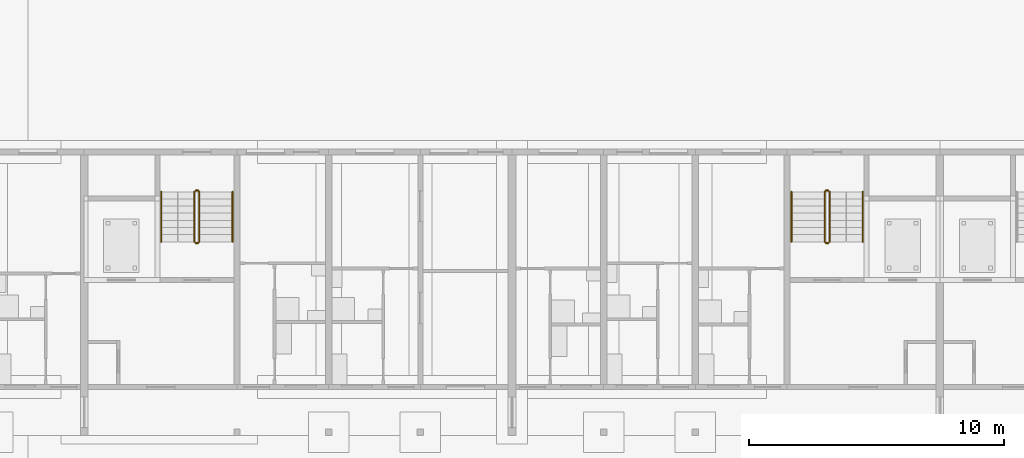
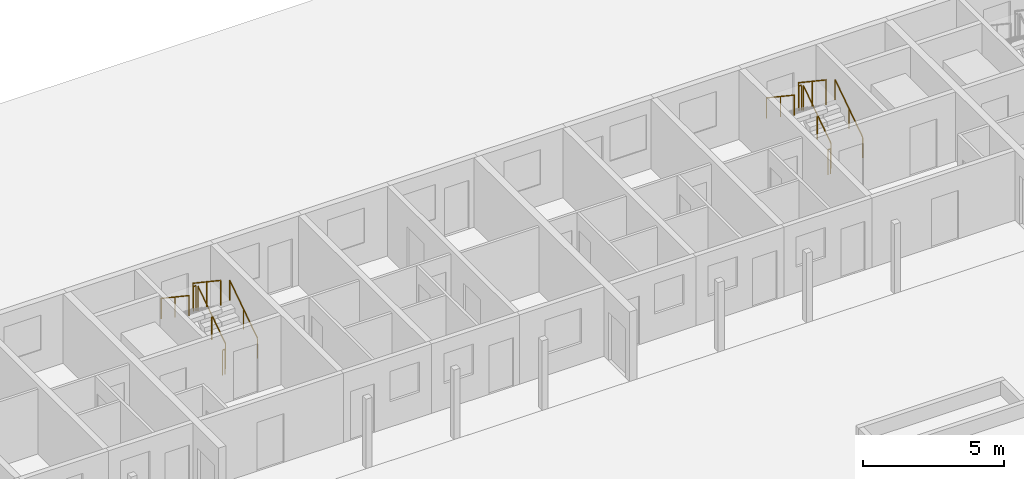
# One storey, part 106 of 112: 12 railings.
"""IFC4 building model written with IfcOpenShell, lengths in metres."""

from ifc_helpers import new_model, si_unit, direction, frame, origin, origin_2d, place, context, subcontext, project, spatial, circle, extrude, material, type_object, element, save


model = new_model("IFC4")

# Units and contexts
model_context = context("Model", 3, precision=1e-05, world=origin(), true_north=direction((0.0, 1.0)))
body_context = subcontext(model_context, "Body", "Model", "MODEL_VIEW")
ifc_project = project(units=[si_unit("LENGTHUNIT", "METRE"), si_unit("AREAUNIT", "SQUARE_METRE"), si_unit("VOLUMEUNIT", "CUBIC_METRE"), si_unit("PLANEANGLEUNIT", "RADIAN"), si_unit("MASSUNIT", "GRAM", prefix="KILO")], contexts=[model_context])

# Site, building, storey
site_placement = place(None, origin())
site = spatial("IfcSite", under=ifc_project, at=site_placement, CompositionType="ELEMENT")
building_placement = place(site_placement, origin())
building = spatial("IfcBuilding", under=site, at=building_placement, Name="Ridgestep Commons", CompositionType="ELEMENT")
storey_placement = place(building_placement, origin())
storey = spatial("IfcBuildingStorey", under=building, at=storey_placement, Name="L00", CompositionType="ELEMENT", Elevation=0.0)

# Railings
ifc_material_1 = material(Name="Structural steel S355JR", Category="steel")
railing_type_1 = type_object("IfcRailingType", Name="Stair guard 1100", PredefinedType="GUARDRAIL", material=ifc_material_1)
railing_1_placement = place(storey_placement, frame((201.72509765625, 73.60009765625, 0.1875)))
element("IfcRailing", 1, at=railing_1_placement, inside=storey, type_object=railing_type_1, Name="L00 C4C stair guard 1", PredefinedType="GUARDRAIL", context=body_context, shape_type="SweptSolid", body=[
    extrude(circle(Radius=0.02392578125, at=origin_2d()), frame((0.0, 0.0, 1.076171875), z_axis=(0.0, 0.830902050051, 0.556418712142), x_axis=(-1.0, 0.0, 0.0)), (0.0, 0.0, 1.0), 2.35888671875),
    extrude(circle(Radius=0.02099609375, at=origin_2d()), origin(), (0.0, 0.0, 1.0), 1.052001953125),
    extrude(circle(Radius=0.02099609375, at=origin_2d()), frame((0.0, 0.97998046875, 0.65625)), (0.0, 0.0, 1.0), 1.052001953125),
    extrude(circle(Radius=0.02099609375, at=origin_2d()), frame((0.0, 1.9599609375, 1.3125)), (0.0, 0.0, 1.0), 1.052001953125),
])
railing_2_placement = place(storey_placement, frame((201.675048828125, 75.610107421875, 1.5)))
element("IfcRailing", 2, at=railing_2_placement, inside=storey, type_object=railing_type_1, Name="L00 C4C stair guard 2", PredefinedType="GUARDRAIL", context=body_context, shape_type="SweptSolid", body=[
    extrude(circle(Radius=0.02392578125, at=origin_2d()), frame((0.0, 0.0, 1.076171875), z_axis=(-1.0, 0.0, 0.0), x_axis=(0.0, -1.0, 0.0)), (0.0, 0.0, 1.0), 0.10009765625),
    extrude(circle(Radius=0.02099609375, at=origin_2d()), origin(), (0.0, 0.0, 1.0), 1.052001953125),
    extrude(circle(Radius=0.02099609375, at=origin_2d()), frame((-0.10009765625, 0.0, 0.0)), (0.0, 0.0, 1.0), 1.052001953125),
])
railing_3_placement = place(storey_placement, frame((201.52490234375, 75.56005859375, 1.6875)))
element("IfcRailing", 3, at=railing_3_placement, inside=storey, type_object=railing_type_1, Name="L00 C4C stair guard 3", PredefinedType="GUARDRAIL", context=body_context, shape_type="SweptSolid", body=[
    extrude(circle(Radius=0.02392578125, at=origin_2d()), frame((0.0, 0.0, 1.076171875), z_axis=(0.0, -0.830902050051, 0.556418712142), x_axis=(1.0, 0.0, 0.0)), (0.0, 0.0, 1.0), 2.35888671875),
    extrude(circle(Radius=0.02099609375, at=origin_2d()), origin(), (0.0, 0.0, 1.0), 1.052001953125),
    extrude(circle(Radius=0.02099609375, at=origin_2d()), frame((0.0, -0.97998046875, 0.65625)), (0.0, 0.0, 1.0), 1.052001953125),
    extrude(circle(Radius=0.02099609375, at=origin_2d()), frame((0.0, -1.9599609375, 1.3125)), (0.0, 0.0, 1.0), 1.052001953125),
])
railing_4_placement = place(storey_placement, frame((201.675048828125, 73.550048828125, 0.0)))
element("IfcRailing", 4, at=railing_4_placement, inside=storey, type_object=railing_type_1, Name="L00 C4C stair guard 4", PredefinedType="GUARDRAIL", context=body_context, shape_type="SweptSolid", body=[
    extrude(circle(Radius=0.02392578125, at=origin_2d()), frame((0.0, 0.0, 1.076171875), z_axis=(-1.0, 0.0, 0.0), x_axis=(0.0, -1.0, 0.0)), (0.0, 0.0, 1.0), 0.10009765625),
    extrude(circle(Radius=0.02099609375, at=origin_2d()), origin(), (0.0, 0.0, 1.0), 1.052001953125),
    extrude(circle(Radius=0.02099609375, at=origin_2d()), frame((-0.10009765625, 0.0, 0.0)), (0.0, 0.0, 1.0), 1.052001953125),
])
railing_5_placement = place(storey_placement, frame((226.47509765625, 73.60009765625, 0.1875)))
element("IfcRailing", 5, at=railing_5_placement, inside=storey, type_object=railing_type_1, Name="L00 C5C stair guard 1", PredefinedType="GUARDRAIL", context=body_context, shape_type="SweptSolid", body=[
    extrude(circle(Radius=0.02392578125, at=origin_2d()), frame((0.0, 0.0, 1.076171875), z_axis=(0.0, 0.830902050051, 0.556418712142), x_axis=(-1.0, 0.0, 0.0)), (0.0, 0.0, 1.0), 2.35888671875),
    extrude(circle(Radius=0.02099609375, at=origin_2d()), origin(), (0.0, 0.0, 1.0), 1.052001953125),
    extrude(circle(Radius=0.02099609375, at=origin_2d()), frame((0.0, 0.97998046875, 0.65625)), (0.0, 0.0, 1.0), 1.052001953125),
    extrude(circle(Radius=0.02099609375, at=origin_2d()), frame((0.0, 1.9599609375, 1.3125)), (0.0, 0.0, 1.0), 1.052001953125),
])
railing_6_placement = place(storey_placement, frame((226.425048828125, 75.610107421875, 1.5)))
element("IfcRailing", 6, at=railing_6_placement, inside=storey, type_object=railing_type_1, Name="L00 C5C stair guard 2", PredefinedType="GUARDRAIL", context=body_context, shape_type="SweptSolid", body=[
    extrude(circle(Radius=0.02392578125, at=origin_2d()), frame((0.0, 0.0, 1.076171875), z_axis=(-1.0, 0.0, 0.0), x_axis=(0.0, -1.0, 0.0)), (0.0, 0.0, 1.0), 0.10009765625),
    extrude(circle(Radius=0.02099609375, at=origin_2d()), origin(), (0.0, 0.0, 1.0), 1.052001953125),
    extrude(circle(Radius=0.02099609375, at=origin_2d()), frame((-0.10009765625, 0.0, 0.0)), (0.0, 0.0, 1.0), 1.052001953125),
])
railing_7_placement = place(storey_placement, frame((226.27490234375, 75.56005859375, 1.6875)))
element("IfcRailing", 7, at=railing_7_placement, inside=storey, type_object=railing_type_1, Name="L00 C5C stair guard 3", PredefinedType="GUARDRAIL", context=body_context, shape_type="SweptSolid", body=[
    extrude(circle(Radius=0.02392578125, at=origin_2d()), frame((0.0, 0.0, 1.076171875), z_axis=(0.0, -0.830902050051, 0.556418712142), x_axis=(1.0, 0.0, 0.0)), (0.0, 0.0, 1.0), 2.35888671875),
    extrude(circle(Radius=0.02099609375, at=origin_2d()), origin(), (0.0, 0.0, 1.0), 1.052001953125),
    extrude(circle(Radius=0.02099609375, at=origin_2d()), frame((0.0, -0.97998046875, 0.65625)), (0.0, 0.0, 1.0), 1.052001953125),
    extrude(circle(Radius=0.02099609375, at=origin_2d()), frame((0.0, -1.9599609375, 1.3125)), (0.0, 0.0, 1.0), 1.052001953125),
])
railing_8_placement = place(storey_placement, frame((226.425048828125, 73.550048828125, 0.0)))
element("IfcRailing", 8, at=railing_8_placement, inside=storey, type_object=railing_type_1, Name="L00 C5C stair guard 4", PredefinedType="GUARDRAIL", context=body_context, shape_type="SweptSolid", body=[
    extrude(circle(Radius=0.02392578125, at=origin_2d()), frame((0.0, 0.0, 1.076171875), z_axis=(-1.0, 0.0, 0.0), x_axis=(0.0, -1.0, 0.0)), (0.0, 0.0, 1.0), 0.10009765625),
    extrude(circle(Radius=0.02099609375, at=origin_2d()), origin(), (0.0, 0.0, 1.0), 1.052001953125),
    extrude(circle(Radius=0.02099609375, at=origin_2d()), frame((-0.10009765625, 0.0, 0.0)), (0.0, 0.0, 1.0), 1.052001953125),
])
ifc_material_2 = material(Name="Structural steel S355JR", Category="steel")
railing_type_2 = type_object("IfcRailingType", Name="Stair handrail 900", PredefinedType="HANDRAIL", material=ifc_material_2)
railing_9_placement = place(storey_placement, frame((203.02490234375, 73.60009765625, 0.1875)))
element("IfcRailing", 9, at=railing_9_placement, inside=storey, type_object=railing_type_2, Name="L00 C4C stair handrail 1", PredefinedType="HANDRAIL", context=body_context, shape_type="SweptSolid", body=[
    extrude(circle(Radius=0.02392578125, at=origin_2d()), frame((0.0, 0.0, 0.8759765625), z_axis=(0.0, 0.830902050051, 0.556418712142), x_axis=(-1.0, 0.0, 0.0)), (0.0, 0.0, 1.0), 2.35888671875),
    extrude(circle(Radius=0.02099609375, at=origin_2d()), origin(), (0.0, 0.0, 1.0), 0.851806640625),
    extrude(circle(Radius=0.02099609375, at=origin_2d()), frame((0.0, 0.97998046875, 0.65625)), (0.0, 0.0, 1.0), 0.851806640625),
    extrude(circle(Radius=0.02099609375, at=origin_2d()), frame((0.0, 1.9599609375, 1.3125)), (0.0, 0.0, 1.0), 0.851806640625),
])
railing_10_placement = place(storey_placement, frame((200.22509765625, 75.56005859375, 1.6875)))
element("IfcRailing", 10, at=railing_10_placement, inside=storey, type_object=railing_type_2, Name="L00 C4C stair handrail 2", PredefinedType="HANDRAIL", context=body_context, shape_type="SweptSolid", body=[
    extrude(circle(Radius=0.02392578125, at=origin_2d()), frame((0.0, 0.0, 0.8759765625), z_axis=(0.0, -0.830902050051, 0.556418712142), x_axis=(1.0, 0.0, 0.0)), (0.0, 0.0, 1.0), 2.35888671875),
    extrude(circle(Radius=0.02099609375, at=origin_2d()), origin(), (0.0, 0.0, 1.0), 0.851806640625),
    extrude(circle(Radius=0.02099609375, at=origin_2d()), frame((0.0, -0.97998046875, 0.65625)), (0.0, 0.0, 1.0), 0.851806640625),
    extrude(circle(Radius=0.02099609375, at=origin_2d()), frame((0.0, -1.9599609375, 1.3125)), (0.0, 0.0, 1.0), 0.851806640625),
])
railing_11_placement = place(storey_placement, frame((227.77490234375, 73.60009765625, 0.1875)))
element("IfcRailing", 11, at=railing_11_placement, inside=storey, type_object=railing_type_2, Name="L00 C5C stair handrail 1", PredefinedType="HANDRAIL", context=body_context, shape_type="SweptSolid", body=[
    extrude(circle(Radius=0.02392578125, at=origin_2d()), frame((0.0, 0.0, 0.8759765625), z_axis=(0.0, 0.830902050051, 0.556418712142), x_axis=(-1.0, 0.0, 0.0)), (0.0, 0.0, 1.0), 2.35888671875),
    extrude(circle(Radius=0.02099609375, at=origin_2d()), origin(), (0.0, 0.0, 1.0), 0.851806640625),
    extrude(circle(Radius=0.02099609375, at=origin_2d()), frame((0.0, 0.97998046875, 0.65625)), (0.0, 0.0, 1.0), 0.851806640625),
    extrude(circle(Radius=0.02099609375, at=origin_2d()), frame((0.0, 1.9599609375, 1.3125)), (0.0, 0.0, 1.0), 0.851806640625),
])
railing_12_placement = place(storey_placement, frame((224.97509765625, 75.56005859375, 1.6875)))
element("IfcRailing", 12, at=railing_12_placement, inside=storey, type_object=railing_type_2, Name="L00 C5C stair handrail 2", PredefinedType="HANDRAIL", context=body_context, shape_type="SweptSolid", body=[
    extrude(circle(Radius=0.02392578125, at=origin_2d()), frame((0.0, 0.0, 0.8759765625), z_axis=(0.0, -0.830902050051, 0.556418712142), x_axis=(1.0, 0.0, 0.0)), (0.0, 0.0, 1.0), 2.35888671875),
    extrude(circle(Radius=0.02099609375, at=origin_2d()), origin(), (0.0, 0.0, 1.0), 0.851806640625),
    extrude(circle(Radius=0.02099609375, at=origin_2d()), frame((0.0, -0.97998046875, 0.65625)), (0.0, 0.0, 1.0), 0.851806640625),
    extrude(circle(Radius=0.02099609375, at=origin_2d()), frame((0.0, -1.9599609375, 1.3125)), (0.0, 0.0, 1.0), 0.851806640625),
])

save(model, "model.ifc")
